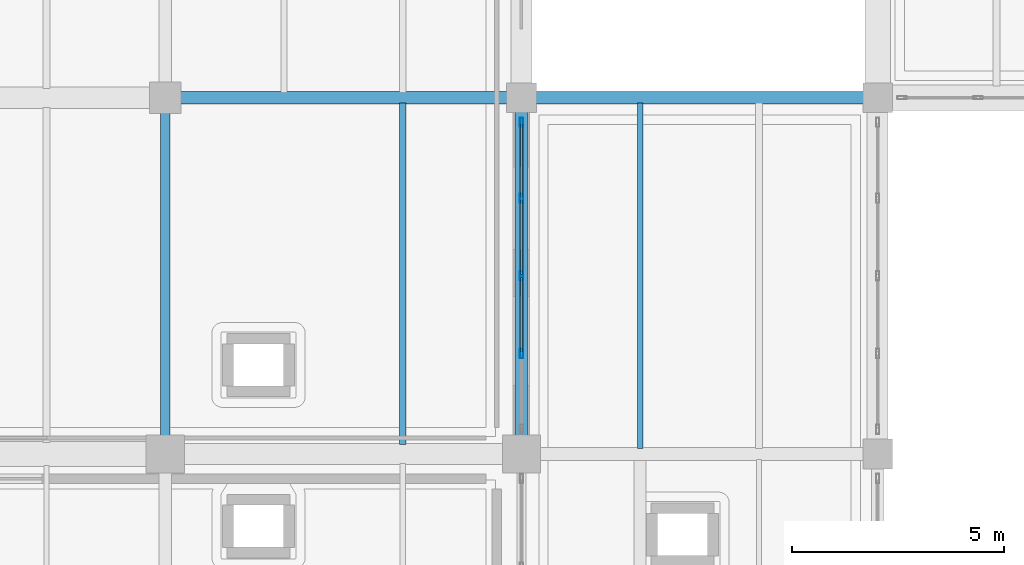
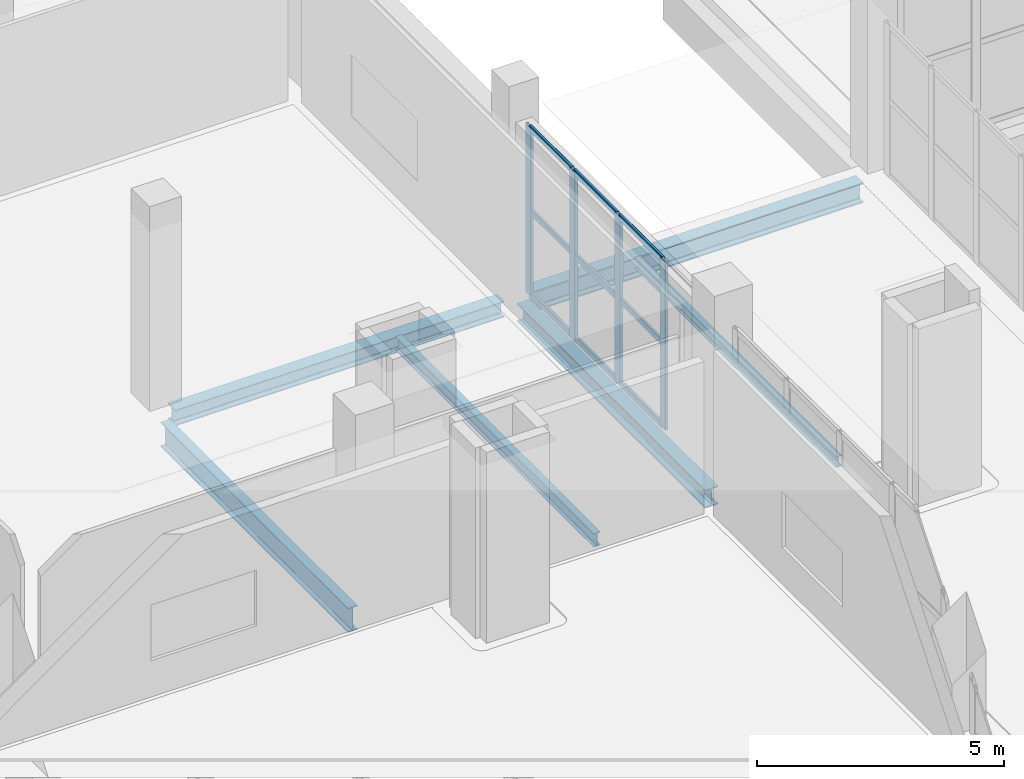
# One storey, part 8 of 66: 13 members, 6 beams, 1 element without a shape of its own.
"""IFC4 building model written with IfcOpenShell, lengths in metres."""

from ifc_helpers import new_model, si_unit, direction, frame, origin, origin_2d, place, context, subcontext, project, spatial, hollow_rectangle, i_section, extrude, material, layer, layer_set, material_profile, profile_set, type_object, element, aggregate, save


model = new_model("IFC4")

# Units and contexts
model_context = context("Model", 3, precision=1e-05, world=origin(), true_north=direction((0.0, 1.0)))
body_context = subcontext(model_context, "Body", "Model", "MODEL_VIEW")
ifc_project = project(units=[si_unit("LENGTHUNIT", "METRE"), si_unit("AREAUNIT", "SQUARE_METRE"), si_unit("VOLUMEUNIT", "CUBIC_METRE"), si_unit("PLANEANGLEUNIT", "RADIAN"), si_unit("MASSUNIT", "GRAM", prefix="KILO")], contexts=[model_context])

# Site, building, storey
site_placement = place(None, origin())
site = spatial("IfcSite", under=ifc_project, at=site_placement, CompositionType="ELEMENT")
building_placement = place(site_placement, origin())
building = spatial("IfcBuilding", under=site, at=building_placement, Name="Zulmaris Art Gallery", CompositionType="ELEMENT")
storey_placement = place(building_placement, frame((0.0, 0.0, 5.39990234375)))
storey = spatial("IfcBuildingStorey", under=building, at=storey_placement, Name="L01", CompositionType="ELEMENT", Elevation=5.39990234375)

# Beams
ifc_material_1 = material(Name="Steel S355J2", Category="steel")
ifc_material_profile_1 = material_profile(ifc_material_1, i_section(OverallWidth=0.219970703125, OverallDepth=0.60009765625, WebThickness=0.011962890625, FlangeThickness=0.01904296875, FilletRadius=0.02392578125, at=origin_2d()), Name="IPE 600")
ifc_profile_set_1 = profile_set([ifc_material_profile_1], Name="Steel S355J2")
beam_type_1 = type_object("IfcBeamType", Name="BEAM-BM07", PredefinedType="BEAM", material=ifc_profile_set_1)
beam_1_placement = place(storey_placement, frame((74.39990234375, 50.8349609375, -0.6298828125), z_axis=(0.0, 1.0, 0.0), x_axis=(-1.0, 0.0, 0.0)))
element("IfcBeam", 1, at=beam_1_placement, inside=storey, type_object=beam_type_1, Name="L01 Y-girder (x=74.4, 50.4..58.8)", PredefinedType="BEAM", context=body_context, shape_type="SweptSolid", body=[
    extrude(i_section(OverallWidth=0.219970703125, OverallDepth=0.60009765625, WebThickness=0.011962890625, FlangeThickness=0.01904296875, FilletRadius=0.02392578125, at=origin_2d()), origin(), (0.0, 0.0, 1.0), 7.60498046875),
])
ifc_material_profile_2 = material_profile(ifc_material_1, i_section(OverallWidth=0.300048828125, OverallDepth=0.389892578125, WebThickness=0.010986328125, FlangeThickness=0.01904296875, FilletRadius=0.027099609375, at=origin_2d()), Name="HEA 400")
ifc_profile_set_2 = profile_set([ifc_material_profile_2], Name="Steel S355J2")
beam_type_2 = type_object("IfcBeamType", Name="BEAM-BM09", PredefinedType="BEAM", material=ifc_profile_set_2)
beam_2_placement = place(storey_placement, frame((74.760009765625, 58.800048828125, -0.52490234375), z_axis=(1.0, 0.0, 0.0), x_axis=(0.0, 1.0, 0.0)))
element("IfcBeam", 2, at=beam_2_placement, inside=storey, type_object=beam_type_2, Name="L01 X-girder (74.4..82.8, y=58.8)", PredefinedType="BEAM", context=body_context, shape_type="SweptSolid", body=[
    extrude(i_section(OverallWidth=0.300048828125, OverallDepth=0.389892578125, WebThickness=0.010986328125, FlangeThickness=0.01904296875, FilletRadius=0.027099609375, at=origin_2d()), origin(), (0.0, 0.0, 1.0), 7.705078125),
])
ifc_material_profile_3 = material_profile(ifc_material_1, i_section(OverallWidth=0.300048828125, OverallDepth=0.449951171875, WebThickness=0.013916015625, FlangeThickness=0.02587890625, FilletRadius=0.027099609375, at=origin_2d()), Name="HEB 450")
ifc_profile_set_3 = profile_set([ifc_material_profile_3], Name="Steel S355J2")
beam_type_3 = type_object("IfcBeamType", Name="BEAM-BM13", PredefinedType="BEAM", material=ifc_profile_set_3)
beam_3_placement = place(storey_placement, frame((82.800048828125, 50.8349609375, -0.554931640625), z_axis=(0.0, 1.0, 0.0), x_axis=(-1.0, 0.0, 0.0)))
element("IfcBeam", 3, at=beam_3_placement, inside=storey, type_object=beam_type_3, Name="L01 Y-girder (x=82.8, 50.4..58.8)", PredefinedType="BEAM", context=body_context, shape_type="SweptSolid", body=[
    extrude(i_section(OverallWidth=0.300048828125, OverallDepth=0.449951171875, WebThickness=0.013916015625, FlangeThickness=0.02587890625, FilletRadius=0.027099609375, at=origin_2d()), origin(), (0.0, 0.0, 1.0), 7.630126953125),
])
ifc_material_profile_4 = material_profile(ifc_material_1, i_section(OverallWidth=0.300048828125, OverallDepth=0.5, WebThickness=0.014404296875, FlangeThickness=0.028076171875, FilletRadius=0.027099609375, at=origin_2d()), Name="HEB 500")
ifc_profile_set_4 = profile_set([ifc_material_profile_4], Name="Steel S355J2")
beam_type_4 = type_object("IfcBeamType", Name="BEAM-BM14", PredefinedType="BEAM", material=ifc_profile_set_4)
beam_4_placement = place(storey_placement, frame((83.135009765625, 58.800048828125, -0.579833984375), z_axis=(1.0, 0.0, 0.0), x_axis=(0.0, 1.0, 0.0)))
element("IfcBeam", 4, at=beam_4_placement, inside=storey, type_object=beam_type_4, Name="L01 X-girder (82.8..91.2, y=58.8)", PredefinedType="BEAM", context=body_context, shape_type="SweptSolid", body=[
    extrude(i_section(OverallWidth=0.300048828125, OverallDepth=0.5, WebThickness=0.014404296875, FlangeThickness=0.028076171875, FilletRadius=0.027099609375, at=origin_2d()), origin(), (0.0, 0.0, 1.0), 7.72998046875),
])
ifc_material_profile_5 = material_profile(ifc_material_1, i_section(OverallWidth=0.135009765625, OverallDepth=0.27001953125, WebThickness=0.006591796875, FlangeThickness=0.01025390625, FilletRadius=0.014892578125, at=origin_2d()), Name="IPE 270")
ifc_profile_set_5 = profile_set([ifc_material_profile_5], Name="Steel S355J2")
beam_type_5 = type_object("IfcBeamType", Name="BEAM-JS02", PredefinedType="JOIST", material=ifc_profile_set_5)
beam_5_placement = place(storey_placement, frame((85.60009765625, 50.52490234375, -0.46484375), z_axis=(0.0, 1.0, 0.0), x_axis=(-1.0, 0.0, 0.0)))
element("IfcBeam", 5, at=beam_5_placement, inside=storey, type_object=beam_type_5, Name="L01 secondary joist at x=85.6", PredefinedType="JOIST", context=body_context, shape_type="SweptSolid", body=[
    extrude(i_section(OverallWidth=0.135009765625, OverallDepth=0.27001953125, WebThickness=0.006591796875, FlangeThickness=0.01025390625, FilletRadius=0.014892578125, at=origin_2d()), origin(), (0.0, 0.0, 1.0), 8.150146484375),
])
ifc_material_profile_6 = material_profile(ifc_material_1, i_section(OverallWidth=0.159912109375, OverallDepth=0.330078125, WebThickness=0.007568359375, FlangeThickness=0.011474609375, FilletRadius=0.01806640625, at=origin_2d()), Name="IPE 330")
ifc_profile_set_6 = profile_set([ifc_material_profile_6], Name="Steel S355J2")
beam_type_6 = type_object("IfcBeamType", Name="BEAM-JS03", PredefinedType="JOIST", material=ifc_profile_set_6)
beam_6_placement = place(storey_placement, frame((80.0, 50.625, -0.494873046875), z_axis=(0.0, 1.0, 0.0), x_axis=(-1.0, 0.0, 0.0)))
element("IfcBeam", 6, at=beam_6_placement, inside=storey, type_object=beam_type_6, Name="L01 secondary joist at x=80.0", PredefinedType="JOIST", context=body_context, shape_type="SweptSolid", body=[
    extrude(i_section(OverallWidth=0.159912109375, OverallDepth=0.330078125, WebThickness=0.007568359375, FlangeThickness=0.011474609375, FilletRadius=0.01806640625, at=origin_2d()), origin(), (0.0, 0.0, 1.0), 8.050048828125),
])

# Curtain wall, members
ifc_material_2 = material(Name="Cloister & Court Glazed Curtain Wall", Category="aluminium")
ifc_layer = layer(ifc_material_2, 0.179931640625)
ifc_layer_set = layer_set([ifc_layer], Name="Cloister & Court Glazed Curtain Wall")
curtain_wall_type = type_object("IfcCurtainWallType", Name="CW-CW03", PredefinedType="NOTDEFINED", material=ifc_layer_set)
curtain_wall_placement = place(storey_placement, origin())
curtain_wall = element("IfcCurtainWall", 7, at=curtain_wall_placement, inside=storey, type_object=curtain_wall_type, Name="L01 curtain wall 76", PredefinedType="NOTDEFINED")
ifc_material_3 = material(Name="Anodised Bronze Aluminium", Category="aluminium")
ifc_material_profile_7 = material_profile(ifc_material_3, hollow_rectangle(XDim=0.074951171875, YDim=0.219970703125, WallThickness=0.0048828125, InnerFilletRadius=0.007568359375, OuterFilletRadius=0.012451171875, at=origin_2d()), Name="ALU 75x220x5")
ifc_profile_set_7 = profile_set([ifc_material_profile_7], Name="Anodised Bronze Aluminium")
member_type_1 = type_object("IfcMemberType", Name="CWMUL-02", PredefinedType="MULLION", material=ifc_profile_set_7)
member_1_placement = place(storey_placement, frame((82.800048828125, 52.77001953125, 0.0), z_axis=(0.0, 0.0, 1.0), x_axis=(-1.0, 0.0, 0.0)))
member_1 = element("IfcMember", 8, at=member_1_placement, type_object=member_type_1, Name="CW03 mullion 2", PredefinedType="MULLION", context=body_context, shape_type="SweptSolid", body=[
    extrude(hollow_rectangle(XDim=0.074951171875, YDim=0.219970703125, WallThickness=0.0048828125, InnerFilletRadius=0.007568359375, OuterFilletRadius=0.012451171875, at=origin_2d()), origin(), (0.0, 0.0, 1.0), 4.170166015625),
])
member_2_placement = place(storey_placement, frame((82.800048828125, 54.60009765625, 0.0), z_axis=(0.0, 0.0, 1.0), x_axis=(-1.0, 0.0, 0.0)))
member_2 = element("IfcMember", 9, at=member_2_placement, type_object=member_type_1, Name="CW03 mullion 3", PredefinedType="MULLION", context=body_context, shape_type="SweptSolid", body=[
    extrude(hollow_rectangle(XDim=0.074951171875, YDim=0.219970703125, WallThickness=0.0048828125, InnerFilletRadius=0.007568359375, OuterFilletRadius=0.012451171875, at=origin_2d()), origin(), (0.0, 0.0, 1.0), 4.170166015625),
])
member_3_placement = place(storey_placement, frame((82.800048828125, 56.429931640625, 0.0), z_axis=(0.0, 0.0, 1.0), x_axis=(-1.0, 0.0, 0.0)))
member_3 = element("IfcMember", 10, at=member_3_placement, type_object=member_type_1, Name="CW03 mullion 4", PredefinedType="MULLION", context=body_context, shape_type="SweptSolid", body=[
    extrude(hollow_rectangle(XDim=0.074951171875, YDim=0.219970703125, WallThickness=0.0048828125, InnerFilletRadius=0.007568359375, OuterFilletRadius=0.012451171875, at=origin_2d()), origin(), (0.0, 0.0, 1.0), 4.170166015625),
])
member_4_placement = place(storey_placement, frame((82.800048828125, 58.222412109375, 0.0), z_axis=(0.0, 0.0, 1.0), x_axis=(-1.0, 0.0, 0.0)))
member_4 = element("IfcMember", 11, at=member_4_placement, type_object=member_type_1, Name="CW03 mullion 5", PredefinedType="MULLION", context=body_context, shape_type="SweptSolid", body=[
    extrude(hollow_rectangle(XDim=0.074951171875, YDim=0.219970703125, WallThickness=0.0048828125, InnerFilletRadius=0.007568359375, OuterFilletRadius=0.012451171875, at=origin_2d()), origin(), (0.0, 0.0, 1.0), 4.170166015625),
])
ifc_material_profile_8 = material_profile(ifc_material_3, hollow_rectangle(XDim=0.06494140625, YDim=0.14990234375, WallThickness=0.00390625, InnerFilletRadius=0.006103515625, OuterFilletRadius=0.010009765625, at=origin_2d()), Name="ALU 65x150x4")
ifc_profile_set_8 = profile_set([ifc_material_profile_8], Name="Anodised Bronze Aluminium")
member_type_2 = type_object("IfcMemberType", Name="CWTRN-01", PredefinedType="USERDEFINED", material=ifc_profile_set_8)
member_5_placement = place(storey_placement, frame((82.800048828125, 52.8076171875, 0.03759765625), z_axis=(0.0, 1.0, 0.0), x_axis=(-1.0, 0.0, 0.0)))
member_5 = element("IfcMember", 12, at=member_5_placement, type_object=member_type_2, Name="CW03 transom 2.1", ObjectType="TRANSOM", PredefinedType="USERDEFINED", context=body_context, shape_type="SweptSolid", body=[
    extrude(hollow_rectangle(XDim=0.06494140625, YDim=0.14990234375, WallThickness=0.00390625, InnerFilletRadius=0.006103515625, OuterFilletRadius=0.010009765625, at=origin_2d()), origin(), (0.0, 0.0, 1.0), 1.7548828125),
])
member_6_placement = place(storey_placement, frame((82.800048828125, 52.8076171875, 2.085205078125), z_axis=(0.0, 1.0, 0.0), x_axis=(-1.0, 0.0, 0.0)))
member_6 = element("IfcMember", 13, at=member_6_placement, type_object=member_type_2, Name="CW03 transom 2.2", ObjectType="TRANSOM", PredefinedType="USERDEFINED", context=body_context, shape_type="SweptSolid", body=[
    extrude(hollow_rectangle(XDim=0.06494140625, YDim=0.14990234375, WallThickness=0.00390625, InnerFilletRadius=0.006103515625, OuterFilletRadius=0.010009765625, at=origin_2d()), origin(), (0.0, 0.0, 1.0), 1.7548828125),
])
member_7_placement = place(storey_placement, frame((82.800048828125, 52.8076171875, 4.132568359375), z_axis=(0.0, 1.0, 0.0), x_axis=(-1.0, 0.0, 0.0)))
member_7 = element("IfcMember", 14, at=member_7_placement, type_object=member_type_2, Name="CW03 transom 2.3", ObjectType="TRANSOM", PredefinedType="USERDEFINED", context=body_context, shape_type="SweptSolid", body=[
    extrude(hollow_rectangle(XDim=0.06494140625, YDim=0.14990234375, WallThickness=0.00390625, InnerFilletRadius=0.006103515625, OuterFilletRadius=0.010009765625, at=origin_2d()), origin(), (0.0, 0.0, 1.0), 1.7548828125),
])
member_8_placement = place(storey_placement, frame((82.800048828125, 54.637451171875, 0.03759765625), z_axis=(0.0, 1.0, 0.0), x_axis=(-1.0, 0.0, 0.0)))
member_8 = element("IfcMember", 15, at=member_8_placement, type_object=member_type_2, Name="CW03 transom 3.1", ObjectType="TRANSOM", PredefinedType="USERDEFINED", context=body_context, shape_type="SweptSolid", body=[
    extrude(hollow_rectangle(XDim=0.06494140625, YDim=0.14990234375, WallThickness=0.00390625, InnerFilletRadius=0.006103515625, OuterFilletRadius=0.010009765625, at=origin_2d()), origin(), (0.0, 0.0, 1.0), 1.755126953125),
])
member_9_placement = place(storey_placement, frame((82.800048828125, 54.637451171875, 2.085205078125), z_axis=(0.0, 1.0, 0.0), x_axis=(-1.0, 0.0, 0.0)))
member_9 = element("IfcMember", 16, at=member_9_placement, type_object=member_type_2, Name="CW03 transom 3.2", ObjectType="TRANSOM", PredefinedType="USERDEFINED", context=body_context, shape_type="SweptSolid", body=[
    extrude(hollow_rectangle(XDim=0.06494140625, YDim=0.14990234375, WallThickness=0.00390625, InnerFilletRadius=0.006103515625, OuterFilletRadius=0.010009765625, at=origin_2d()), origin(), (0.0, 0.0, 1.0), 1.755126953125),
])
member_10_placement = place(storey_placement, frame((82.800048828125, 54.637451171875, 4.132568359375), z_axis=(0.0, 1.0, 0.0), x_axis=(-1.0, 0.0, 0.0)))
member_10 = element("IfcMember", 17, at=member_10_placement, type_object=member_type_2, Name="CW03 transom 3.3", ObjectType="TRANSOM", PredefinedType="USERDEFINED", context=body_context, shape_type="SweptSolid", body=[
    extrude(hollow_rectangle(XDim=0.06494140625, YDim=0.14990234375, WallThickness=0.00390625, InnerFilletRadius=0.006103515625, OuterFilletRadius=0.010009765625, at=origin_2d()), origin(), (0.0, 0.0, 1.0), 1.755126953125),
])
member_11_placement = place(storey_placement, frame((82.800048828125, 56.467529296875, 0.03759765625), z_axis=(0.0, 1.0, 0.0), x_axis=(-1.0, 0.0, 0.0)))
member_11 = element("IfcMember", 18, at=member_11_placement, type_object=member_type_2, Name="CW03 transom 4.1", ObjectType="TRANSOM", PredefinedType="USERDEFINED", context=body_context, shape_type="SweptSolid", body=[
    extrude(hollow_rectangle(XDim=0.06494140625, YDim=0.14990234375, WallThickness=0.00390625, InnerFilletRadius=0.006103515625, OuterFilletRadius=0.010009765625, at=origin_2d()), origin(), (0.0, 0.0, 1.0), 1.717529296875),
])
member_12_placement = place(storey_placement, frame((82.800048828125, 56.467529296875, 2.085205078125), z_axis=(0.0, 1.0, 0.0), x_axis=(-1.0, 0.0, 0.0)))
member_12 = element("IfcMember", 19, at=member_12_placement, type_object=member_type_2, Name="CW03 transom 4.2", ObjectType="TRANSOM", PredefinedType="USERDEFINED", context=body_context, shape_type="SweptSolid", body=[
    extrude(hollow_rectangle(XDim=0.06494140625, YDim=0.14990234375, WallThickness=0.00390625, InnerFilletRadius=0.006103515625, OuterFilletRadius=0.010009765625, at=origin_2d()), origin(), (0.0, 0.0, 1.0), 1.717529296875),
])
member_13_placement = place(storey_placement, frame((82.800048828125, 56.467529296875, 4.132568359375), z_axis=(0.0, 1.0, 0.0), x_axis=(-1.0, 0.0, 0.0)))
member_13 = element("IfcMember", 20, at=member_13_placement, type_object=member_type_2, Name="CW03 transom 4.3", ObjectType="TRANSOM", PredefinedType="USERDEFINED", context=body_context, shape_type="SweptSolid", body=[
    extrude(hollow_rectangle(XDim=0.06494140625, YDim=0.14990234375, WallThickness=0.00390625, InnerFilletRadius=0.006103515625, OuterFilletRadius=0.010009765625, at=origin_2d()), origin(), (0.0, 0.0, 1.0), 1.717529296875),
])
aggregate(curtain_wall, [member_1, member_2, member_3, member_4, member_5, member_6, member_7, member_8, member_9, member_10, member_11, member_12, member_13])

save(model, "model.ifc")
